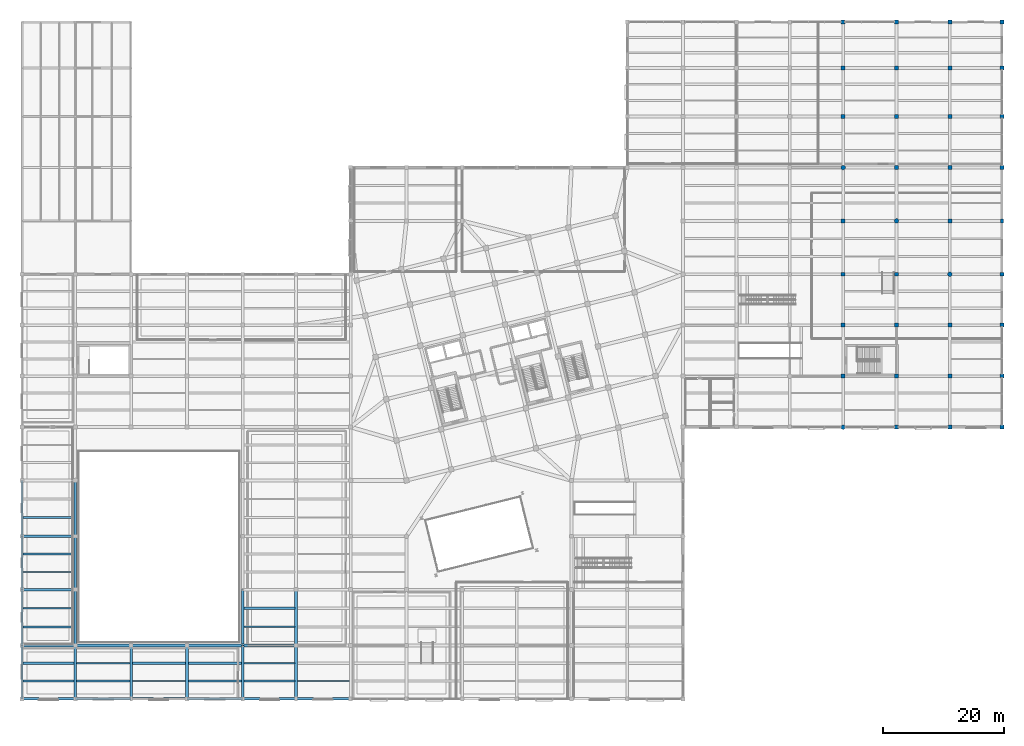
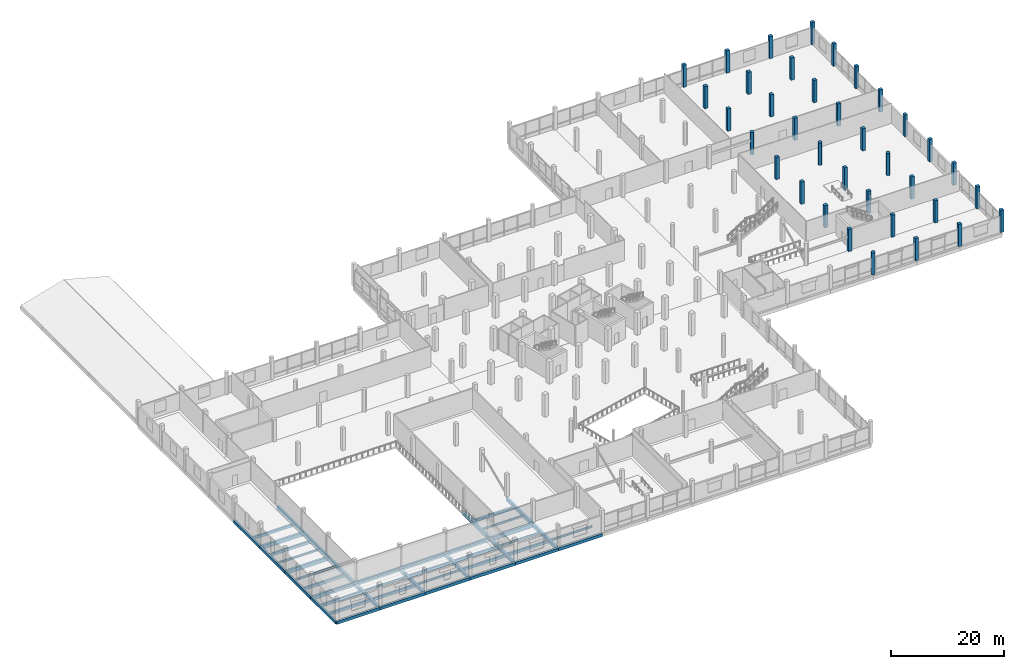
# One storey, part 9 of 71: 45 beams, 36 columns.
"""IFC4 building model written with IfcOpenShell, lengths in metres."""

from ifc_helpers import new_model, si_unit, direction, frame, origin, origin_2d, place, context, subcontext, project, spatial, rectangle, circle, i_section, extrude, material, material_profile, profile_set, type_object, element, save


model = new_model("IFC4")

# Units and contexts
model_context = context("Model", 3, precision=1e-05, world=origin(), true_north=direction((0.0, 1.0)))
body_context = subcontext(model_context, "Body", "Model", "MODEL_VIEW")
ifc_project = project(units=[si_unit("LENGTHUNIT", "METRE"), si_unit("AREAUNIT", "SQUARE_METRE"), si_unit("VOLUMEUNIT", "CUBIC_METRE"), si_unit("PLANEANGLEUNIT", "RADIAN"), si_unit("MASSUNIT", "GRAM", prefix="KILO")], contexts=[model_context])

# Site, building, storey
site_placement = place(None, origin())
site = spatial("IfcSite", under=ifc_project, at=site_placement, CompositionType="ELEMENT")
building_placement = place(site_placement, origin())
building = spatial("IfcBuilding", under=site, at=building_placement, Name="Meriwether Solvik Hall", CompositionType="ELEMENT")
storey_placement = place(building_placement, frame((0.0, 0.0, 5.10009765625)))
storey = spatial("IfcBuildingStorey", under=building, at=storey_placement, Name="L01", CompositionType="ELEMENT", Elevation=5.10009765625)

# Columns
ifc_material_1 = material(Name="Concrete C40/50", Category="concrete")
ifc_material_profile_1 = material_profile(ifc_material_1, rectangle(XDim=0.64990234375, YDim=0.64990234375, at=origin_2d()), Name="RCC-650X650")
ifc_profile_set_1 = profile_set([ifc_material_profile_1], Name="Concrete C40/50")
column_type_1 = type_object("IfcColumnType", Name="COL-RC-650", PredefinedType="COLUMN", material=ifc_profile_set_1)
for number, where, z_axis, x_axis, name in (
    (1, (140.60009765625, 58.39990234375, 0.0), (0.0, 0.0, 1.0), (1.0, 0.0, 0.0), "Podium Column 16/G (L01)"),
    (2, (140.60009765625, 66.800048828125, 0.0), (0.0, 0.0, 1.0), (1.0, 0.0, 0.0), "Podium Column 16/H (L01)"),
    (3, (140.60009765625, 75.199951171875, 0.0), (0.0, 0.0, 1.0), (1.0, 0.0, 0.0), "Podium Column 16/I (L01)"),
    (4, (140.60009765625, 84.0, 0.0), (0.0, 0.0, 1.0), (1.0, 0.0, 0.0), "Podium Column 16/J (L01)"),
    (5, (140.60009765625, 101.199951171875, 0.0), (0.0, 0.0, 1.0), (1.0, 0.0, 0.0), "Podium Column 16/L (L01)"),
    (6, (140.60009765625, 109.199951171875, 0.0), (0.0, 0.0, 1.0), (1.0, 0.0, 0.0), "Podium Column 16/M (L01)"),
    (7, (140.60009765625, 116.800048828125, 0.0), (0.0, 0.0, 1.0), (1.0, 0.0, 0.0), "Podium Column 16/N (L01)"),
    (8, (149.39990234375, 50.0, 0.0), (0.0, 0.0, 1.0), (1.0, 0.0, 0.0), "Podium Column 17/F (L01)"),
    (9, (149.39990234375, 58.39990234375, 0.0), (0.0, 0.0, 1.0), (1.0, 0.0, 0.0), "Podium Column 17/G (L01)"),
    (10, (149.39990234375, 66.800048828125, 0.0), (0.0, 0.0, 1.0), (1.0, 0.0, 0.0), "Podium Column 17/H (L01)"),
    (11, (149.39990234375, 75.199951171875, 0.0), (0.0, 0.0, 1.0), (1.0, 0.0, 0.0), "Podium Column 17/I (L01)"),
    (12, (149.39990234375, 92.800048828125, 0.0), (0.0, 0.0, 1.0), (1.0, 0.0, 0.0), "Podium Column 17/K (L01)"),
    (13, (149.39990234375, 101.199951171875, 0.0), (0.0, 0.0, 1.0), (1.0, 0.0, 0.0), "Podium Column 17/L (L01)"),
    (14, (149.39990234375, 109.199951171875, 0.0), (0.0, 0.0, 1.0), (1.0, 0.0, 0.0), "Podium Column 17/M (L01)"),
    (15, (149.39990234375, 116.800048828125, 0.0), (0.0, 0.0, 1.0), (1.0, 0.0, 0.0), "Podium Column 17/N (L01)"),
    (16, (158.199951171875, 50.0, 0.0), (0.0, 0.0, 1.0), (1.0, 0.0, 0.0), "Podium Column 18/F (L01)"),
    (17, (158.199951171875, 58.39990234375, 0.0), (0.0, 0.0, 1.0), (1.0, 0.0, 0.0), "Podium Column 18/G (L01)"),
    (18, (158.199951171875, 66.800048828125, 0.0), (0.0, 0.0, 1.0), (1.0, 0.0, 0.0), "Podium Column 18/H (L01)"),
    (19, (158.199951171875, 84.0, 0.0), (0.0, 0.0, 1.0), (1.0, 0.0, 0.0), "Podium Column 18/J (L01)"),
    (20, (158.199951171875, 92.800048828125, 0.0), (0.0, 0.0, 1.0), (1.0, 0.0, 0.0), "Podium Column 18/K (L01)"),
    (21, (158.199951171875, 101.199951171875, 0.0), (0.0, 0.0, 1.0), (1.0, 0.0, 0.0), "Podium Column 18/L (L01)"),
    (22, (158.199951171875, 109.199951171875, 0.0), (0.0, 0.0, 1.0), (1.0, 0.0, 0.0), "Podium Column 18/M (L01)"),
    (23, (158.199951171875, 116.800048828125, 0.0), (0.0, 0.0, 1.0), (1.0, 0.0, 0.0), "Podium Column 18/N (L01)"),
    (24, (166.800048828125, 50.0, 0.0), (0.0, 0.0, 1.0), (1.0, 0.0, 0.0), "Podium Column 19/F (L01)"),
    (25, (166.800048828125, 58.39990234375, 0.0), (0.0, 0.0, 1.0), (1.0, 0.0, 0.0), "Podium Column 19/G (L01)"),
    (26, (166.800048828125, 66.800048828125, 0.0), (0.0, 0.0, 1.0), (1.0, 0.0, 0.0), "Podium Column 19/H (L01)"),
    (27, (166.800048828125, 75.199951171875, 0.0), (0.0, 0.0, 1.0), (1.0, 0.0, 0.0), "Podium Column 19/I (L01)"),
    (28, (166.800048828125, 92.800048828125, 0.0), (0.0, 0.0, 1.0), (1.0, 0.0, 0.0), "Podium Column 19/K (L01)"),
    (29, (166.800048828125, 101.199951171875, 0.0), (0.0, 0.0, 1.0), (1.0, 0.0, 0.0), "Podium Column 19/L (L01)"),
    (30, (166.800048828125, 109.199951171875, 0.0), (0.0, 0.0, 1.0), (1.0, 0.0, 0.0), "Podium Column 19/M (L01)"),
    (31, (166.800048828125, 116.800048828125, 0.0), (0.0, 0.0, 1.0), (1.0, 0.0, 0.0), "Podium Column 19/N (L01)"),
):
    element("IfcColumn", number, at=place(storey_placement, frame(where, z_axis=z_axis, x_axis=x_axis)), inside=storey, type_object=column_type_1, Name=name, PredefinedType="COLUMN", context=body_context, shape_type="SweptSolid", body=[
        extrude(rectangle(XDim=0.64990234375, YDim=0.64990234375, at=origin_2d()), origin(), (0.0, 0.0, 1.0), 4.7998046875),
    ])
ifc_material_2 = material(Name="Concrete C40/50", Category="concrete")
ifc_material_profile_2 = material_profile(ifc_material_2, circle(Radius=0.375, at=origin_2d()), Name="RCC-D750")
ifc_profile_set_2 = profile_set([ifc_material_profile_2], Name="Concrete C40/50")
column_type_2 = type_object("IfcColumnType", Name="COL-RC-D750", PredefinedType="COLUMN", material=ifc_profile_set_2)
for number, where, z_axis, x_axis, name in (
    (32, (140.60009765625, 50.0, 0.0), (0.0, 0.0, 1.0), (1.0, 0.0, 0.0), "Podium Column 16/F (L01)"),
    (33, (140.60009765625, 92.800048828125, 0.0), (0.0, 0.0, 1.0), (1.0, 0.0, 0.0), "Podium Column 16/K (L01)"),
    (34, (149.39990234375, 84.0, 0.0), (0.0, 0.0, 1.0), (1.0, 0.0, 0.0), "Podium Column 17/J (L01)"),
    (35, (158.199951171875, 75.199951171875, 0.0), (0.0, 0.0, 1.0), (1.0, 0.0, 0.0), "Podium Column 18/I (L01)"),
):
    element("IfcColumn", number, at=place(storey_placement, frame(where, z_axis=z_axis, x_axis=x_axis)), inside=storey, type_object=column_type_2, Name=name, PredefinedType="COLUMN", context=body_context, shape_type="SweptSolid", body=[
        extrude(circle(Radius=0.375, at=origin_2d()), origin(), (0.0, 0.0, 1.0), 4.7998046875),
    ])
ifc_material_3 = material(Name="Concrete C40/50", Category="concrete")
ifc_material_profile_3 = material_profile(ifc_material_3, rectangle(XDim=0.449951171875, YDim=0.699951171875, at=origin_2d()), Name="RCP-450X700")
ifc_profile_set_3 = profile_set([ifc_material_profile_3], Name="Concrete C40/50")
column_type_3 = type_object("IfcColumnType", Name="PIL-RC-450X700", PredefinedType="PILASTER", material=ifc_profile_set_3)
column_placement = place(storey_placement, frame((166.800048828125, 84.0, 0.0), z_axis=(0.0, 0.0, 1.0), x_axis=(1.0, 0.0, 0.0)))
element("IfcColumn", 36, at=column_placement, inside=storey, type_object=column_type_3, Name="Podium Column 19/J (L01)", PredefinedType="PILASTER", context=body_context, shape_type="SweptSolid", body=[
    extrude(rectangle(XDim=0.449951171875, YDim=0.699951171875, at=origin_2d()), origin(), (0.0, 0.0, 1.0), 4.7998046875),
])

# Beams
ifc_material_4 = material(Name="Concrete C40/50", Category="concrete")
ifc_material_profile_4 = material_profile(ifc_material_4, rectangle(XDim=0.35009765625, YDim=0.60009765625, at=origin_2d()), Name="RCB-350X600")
ifc_profile_set_4 = profile_set([ifc_material_profile_4], Name="Concrete C40/50")
beam_type_1 = type_object("IfcBeamType", Name="BM-RC-350X600", PredefinedType="JOIST", material=ifc_profile_set_4)
for number, where, z_axis, x_axis, name in (
    (37, (5.39501953125, 8.13330078125, -0.60009765625), (1.0, 0.0, 0.0), (0.0, 1.0, 0.0), "Secondary Floor Joist 1/A_J1 (L01)"),
    (38, (5.39501953125, 11.066650390625, -0.60009765625), (1.0, 0.0, 0.0), (0.0, 1.0, 0.0), "Secondary Floor Joist 1/A_J2 (L01)"),
    (39, (5.39501953125, 17.066650390625, -0.60009765625), (1.0, 0.0, 0.0), (0.0, 1.0, 0.0), "Secondary Floor Joist 1/B_J1 (L01)"),
    (40, (5.39501953125, 29.066650390625, -0.60009765625), (1.0, 0.0, 0.0), (0.0, 1.0, 0.0), "Secondary Floor Joist 1/C_J2 (L01)"),
    (41, (5.39501953125, 35.066650390625, -0.60009765625), (1.0, 0.0, 0.0), (0.0, 1.0, 0.0), "Secondary Floor Joist 1/D_J1 (L01)"),
):
    element("IfcBeam", number, at=place(storey_placement, frame(where, z_axis=z_axis, x_axis=x_axis)), inside=storey, type_object=beam_type_1, Name=name, PredefinedType="JOIST", context=body_context, shape_type="SweptSolid", body=[
        extrude(rectangle(XDim=0.35009765625, YDim=0.60009765625, at=origin_2d()), origin(), (0.0, 0.0, 1.0), 8.385009765625),
    ])
for number, where, z_axis, x_axis, name in (
    (42, (14.219970703125, 8.13330078125, -0.60009765625), (1.0, 0.0, 0.0), (0.0, 1.0, 0.0), "Secondary Floor Joist 2/A_J1 (L01)"),
    (43, (23.419921875, 11.066650390625, -0.60009765625), (1.0, 0.0, 0.0), (0.0, 1.0, 0.0), "Secondary Floor Joist 3/A_J2 (L01)"),
):
    element("IfcBeam", number, at=place(storey_placement, frame(where, z_axis=z_axis, x_axis=x_axis)), inside=storey, type_object=beam_type_1, Name=name, PredefinedType="JOIST", context=body_context, shape_type="SweptSolid", body=[
        extrude(rectangle(XDim=0.35009765625, YDim=0.60009765625, at=origin_2d()), origin(), (0.0, 0.0, 1.0), 8.760009765625),
    ])
for number, where, z_axis, x_axis, name in (
    (44, (32.6201171875, 8.13330078125, -0.60009765625), (1.0, 0.0, 0.0), (0.0, 1.0, 0.0), "Secondary Floor Joist 4/A_J1 (L01)"),
    (45, (32.6201171875, 11.066650390625, -0.60009765625), (1.0, 0.0, 0.0), (0.0, 1.0, 0.0), "Secondary Floor Joist 4/A_J2 (L01)"),
):
    element("IfcBeam", number, at=place(storey_placement, frame(where, z_axis=z_axis, x_axis=x_axis)), inside=storey, type_object=beam_type_1, Name=name, PredefinedType="JOIST", context=body_context, shape_type="SweptSolid", body=[
        extrude(rectangle(XDim=0.35009765625, YDim=0.60009765625, at=origin_2d()), origin(), (0.0, 0.0, 1.0), 8.759765625),
    ])
for number, where, z_axis, x_axis, name in (
    (46, (41.820068359375, 8.13330078125, -0.60009765625), (1.0, 0.0, 0.0), (0.0, 1.0, 0.0), "Secondary Floor Joist 5/A_J1 (L01)"),
    (47, (41.820068359375, 20.13330078125, -0.60009765625), (1.0, 0.0, 0.0), (0.0, 1.0, 0.0), "Secondary Floor Joist 5/B_J2 (L01)"),
):
    element("IfcBeam", number, at=place(storey_placement, frame(where, z_axis=z_axis, x_axis=x_axis)), inside=storey, type_object=beam_type_1, Name=name, PredefinedType="JOIST", context=body_context, shape_type="SweptSolid", body=[
        extrude(rectangle(XDim=0.35009765625, YDim=0.60009765625, at=origin_2d()), origin(), (0.0, 0.0, 1.0), 8.35986328125),
    ])
ifc_material_5 = material(Name="Concrete C40/50", Category="concrete")
ifc_material_profile_5 = material_profile(ifc_material_5, rectangle(XDim=0.39990234375, YDim=0.64990234375, at=origin_2d()), Name="RCB-400X650")
ifc_profile_set_5 = profile_set([ifc_material_profile_5], Name="Concrete C40/50")
beam_type_2 = type_object("IfcBeamType", Name="BM-RC-400X650", PredefinedType="SPANDREL", material=ifc_profile_set_5)
beam_1_placement = place(storey_placement, frame((5.199951171875, 5.199951171875, -0.625), z_axis=(1.0, 0.0, 0.0), x_axis=(0.0, 1.0, 0.0)))
element("IfcBeam", 48, at=beam_1_placement, inside=storey, type_object=beam_type_2, Name="Podium Girder A:1-2 (L01)", PredefinedType="SPANDREL", context=body_context, shape_type="SweptSolid", body=[
    extrude(rectangle(XDim=0.39990234375, YDim=0.64990234375, at=origin_2d()), origin(), (0.0, 0.0, 1.0), 8.800048828125),
])
for number, where, z_axis, x_axis, name in (
    (49, (14.0, 5.199951171875, -0.625), (1.0, 0.0, 0.0), (0.0, 1.0, 0.0), "Podium Girder A:2-3 (L01)"),
    (50, (23.199951171875, 5.199951171875, -0.625), (1.0, 0.0, 0.0), (0.0, 1.0, 0.0), "Podium Girder A:3-4 (L01)"),
):
    element("IfcBeam", number, at=place(storey_placement, frame(where, z_axis=z_axis, x_axis=x_axis)), inside=storey, type_object=beam_type_2, Name=name, PredefinedType="SPANDREL", context=body_context, shape_type="SweptSolid", body=[
        extrude(rectangle(XDim=0.39990234375, YDim=0.64990234375, at=origin_2d()), origin(), (0.0, 0.0, 1.0), 9.199951171875),
    ])
beam_2_placement = place(storey_placement, frame((32.39990234375, 5.199951171875, -0.625), z_axis=(1.0, 0.0, 0.0), x_axis=(0.0, 1.0, 0.0)))
element("IfcBeam", 51, at=beam_2_placement, inside=storey, type_object=beam_type_2, Name="Podium Girder A:4-5 (L01)", PredefinedType="SPANDREL", context=body_context, shape_type="SweptSolid", body=[
    extrude(rectangle(XDim=0.39990234375, YDim=0.64990234375, at=origin_2d()), origin(), (0.0, 0.0, 1.0), 9.2001953125),
])
beam_3_placement = place(storey_placement, frame((41.60009765625, 5.199951171875, -0.625), z_axis=(1.0, 0.0, 0.0), x_axis=(0.0, 1.0, 0.0)))
element("IfcBeam", 52, at=beam_3_placement, inside=storey, type_object=beam_type_2, Name="Podium Girder A:5-6 (L01)", PredefinedType="SPANDREL", context=body_context, shape_type="SweptSolid", body=[
    extrude(rectangle(XDim=0.39990234375, YDim=0.64990234375, at=origin_2d()), origin(), (0.0, 0.0, 1.0), 8.7998046875),
])
beam_4_placement = place(storey_placement, frame((50.39990234375, 5.199951171875, -0.625), z_axis=(1.0, 0.0, 0.0), x_axis=(0.0, 1.0, 0.0)))
element("IfcBeam", 53, at=beam_4_placement, inside=storey, type_object=beam_type_2, Name="Podium Girder A:6-7 (L01)", PredefinedType="SPANDREL", context=body_context, shape_type="SweptSolid", body=[
    extrude(rectangle(XDim=0.39990234375, YDim=0.64990234375, at=origin_2d()), origin(), (0.0, 0.0, 1.0), 9.0),
])
beam_5_placement = place(storey_placement, frame((5.199951171875, 5.199951171875, -0.625), z_axis=(0.0, 1.0, 0.0), x_axis=(-1.0, 0.0, 0.0)))
element("IfcBeam", 54, at=beam_5_placement, inside=storey, type_object=beam_type_2, Name="Podium Girder 1:A-B (L01)", PredefinedType="SPANDREL", context=body_context, shape_type="SweptSolid", body=[
    extrude(rectangle(XDim=0.39990234375, YDim=0.64990234375, at=origin_2d()), origin(), (0.0, 0.0, 1.0), 8.800048828125),
])
beam_6_placement = place(storey_placement, frame((5.199951171875, 14.0, -0.625), z_axis=(0.0, 1.0, 0.0), x_axis=(-1.0, 0.0, 0.0)))
element("IfcBeam", 55, at=beam_6_placement, inside=storey, type_object=beam_type_2, Name="Podium Girder 1:B-C (L01)", PredefinedType="SPANDREL", context=body_context, shape_type="SweptSolid", body=[
    extrude(rectangle(XDim=0.39990234375, YDim=0.64990234375, at=origin_2d()), origin(), (0.0, 0.0, 1.0), 9.199951171875),
])
beam_7_placement = place(storey_placement, frame((5.199951171875, 23.199951171875, -0.625), z_axis=(0.0, 1.0, 0.0), x_axis=(-1.0, 0.0, 0.0)))
element("IfcBeam", 56, at=beam_7_placement, inside=storey, type_object=beam_type_2, Name="Podium Girder 1:C-D (L01)", PredefinedType="SPANDREL", context=body_context, shape_type="SweptSolid", body=[
    extrude(rectangle(XDim=0.39990234375, YDim=0.64990234375, at=origin_2d()), origin(), (0.0, 0.0, 1.0), 8.800048828125),
])
beam_8_placement = place(storey_placement, frame((5.199951171875, 32.0, -0.625), z_axis=(0.0, 1.0, 0.0), x_axis=(-1.0, 0.0, 0.0)))
element("IfcBeam", 57, at=beam_8_placement, inside=storey, type_object=beam_type_2, Name="Podium Girder 1:D-E (L01)", PredefinedType="SPANDREL", context=body_context, shape_type="SweptSolid", body=[
    extrude(rectangle(XDim=0.39990234375, YDim=0.64990234375, at=origin_2d()), origin(), (0.0, 0.0, 1.0), 9.199951171875),
])
ifc_material_6 = material(Name="Concrete C40/50", Category="concrete")
ifc_material_profile_6 = material_profile(ifc_material_6, rectangle(XDim=0.449951171875, YDim=0.699951171875, at=origin_2d()), Name="RCB-450X700")
ifc_profile_set_6 = profile_set([ifc_material_profile_6], Name="Concrete C40/50")
beam_type_3 = type_object("IfcBeamType", Name="BM-RC-450X700", PredefinedType="BEAM", material=ifc_profile_set_6)
beam_9_placement = place(storey_placement, frame((14.0, 5.199951171875, -0.650146484375), z_axis=(0.0, 1.0, 0.0), x_axis=(-1.0, 0.0, 0.0)))
element("IfcBeam", 58, at=beam_9_placement, inside=storey, type_object=beam_type_3, Name="Podium Girder 2:A-B (L01)", PredefinedType="BEAM", context=body_context, shape_type="SweptSolid", body=[
    extrude(rectangle(XDim=0.449951171875, YDim=0.699951171875, at=origin_2d()), origin(), (0.0, 0.0, 1.0), 8.800048828125),
])
beam_10_placement = place(storey_placement, frame((14.0, 14.0, -0.650146484375), z_axis=(0.0, 1.0, 0.0), x_axis=(-1.0, 0.0, 0.0)))
element("IfcBeam", 59, at=beam_10_placement, inside=storey, type_object=beam_type_3, Name="Podium Girder 2:B-C (L01)", PredefinedType="BEAM", context=body_context, shape_type="SweptSolid", body=[
    extrude(rectangle(XDim=0.449951171875, YDim=0.699951171875, at=origin_2d()), origin(), (0.0, 0.0, 1.0), 9.199951171875),
])
beam_11_placement = place(storey_placement, frame((14.0, 23.199951171875, -0.650146484375), z_axis=(0.0, 1.0, 0.0), x_axis=(-1.0, 0.0, 0.0)))
element("IfcBeam", 60, at=beam_11_placement, inside=storey, type_object=beam_type_3, Name="Podium Girder 2:C-D (L01)", PredefinedType="BEAM", context=body_context, shape_type="SweptSolid", body=[
    extrude(rectangle(XDim=0.449951171875, YDim=0.699951171875, at=origin_2d()), origin(), (0.0, 0.0, 1.0), 8.800048828125),
])
beam_12_placement = place(storey_placement, frame((14.0, 32.0, -0.650146484375), z_axis=(0.0, 1.0, 0.0), x_axis=(-1.0, 0.0, 0.0)))
element("IfcBeam", 61, at=beam_12_placement, inside=storey, type_object=beam_type_3, Name="Podium Girder 2:D-E (L01)", PredefinedType="BEAM", context=body_context, shape_type="SweptSolid", body=[
    extrude(rectangle(XDim=0.449951171875, YDim=0.699951171875, at=origin_2d()), origin(), (0.0, 0.0, 1.0), 9.199951171875),
])
for number, where, z_axis, x_axis, name in (
    (62, (23.199951171875, 5.199951171875, -0.650146484375), (0.0, 1.0, 0.0), (-1.0, 0.0, 0.0), "Podium Girder 3:A-B (L01)"),
    (63, (32.39990234375, 5.199951171875, -0.650146484375), (0.0, 1.0, 0.0), (-1.0, 0.0, 0.0), "Podium Girder 4:A-B (L01)"),
    (64, (41.60009765625, 5.199951171875, -0.650146484375), (0.0, 1.0, 0.0), (-1.0, 0.0, 0.0), "Podium Girder 5:A-B (L01)"),
):
    element("IfcBeam", number, at=place(storey_placement, frame(where, z_axis=z_axis, x_axis=x_axis)), inside=storey, type_object=beam_type_3, Name=name, PredefinedType="BEAM", context=body_context, shape_type="SweptSolid", body=[
        extrude(rectangle(XDim=0.449951171875, YDim=0.699951171875, at=origin_2d()), origin(), (0.0, 0.0, 1.0), 8.800048828125),
    ])
beam_13_placement = place(storey_placement, frame((41.60009765625, 14.0, -0.650146484375), z_axis=(0.0, 1.0, 0.0), x_axis=(-1.0, 0.0, 0.0)))
element("IfcBeam", 65, at=beam_13_placement, inside=storey, type_object=beam_type_3, Name="Podium Girder 5:B-C (L01)", PredefinedType="BEAM", context=body_context, shape_type="SweptSolid", body=[
    extrude(rectangle(XDim=0.449951171875, YDim=0.699951171875, at=origin_2d()), origin(), (0.0, 0.0, 1.0), 9.199951171875),
])
beam_14_placement = place(storey_placement, frame((50.39990234375, 5.199951171875, -0.650146484375), z_axis=(0.0, 1.0, 0.0), x_axis=(-1.0, 0.0, 0.0)))
element("IfcBeam", 66, at=beam_14_placement, inside=storey, type_object=beam_type_3, Name="Podium Girder 6:A-B (L01)", PredefinedType="BEAM", context=body_context, shape_type="SweptSolid", body=[
    extrude(rectangle(XDim=0.449951171875, YDim=0.699951171875, at=origin_2d()), origin(), (0.0, 0.0, 1.0), 8.800048828125),
])
beam_15_placement = place(storey_placement, frame((50.39990234375, 14.0, -0.650146484375), z_axis=(0.0, 1.0, 0.0), x_axis=(-1.0, 0.0, 0.0)))
element("IfcBeam", 67, at=beam_15_placement, inside=storey, type_object=beam_type_3, Name="Podium Girder 6:B-C (L01)", PredefinedType="BEAM", context=body_context, shape_type="SweptSolid", body=[
    extrude(rectangle(XDim=0.449951171875, YDim=0.699951171875, at=origin_2d()), origin(), (0.0, 0.0, 1.0), 9.199951171875),
])
ifc_material_7 = material(Name="Concrete C40/50", Category="concrete")
ifc_material_profile_7 = material_profile(ifc_material_7, rectangle(XDim=0.449951171875, YDim=0.800048828125, at=origin_2d()), Name="RCB-450X800")
ifc_profile_set_7 = profile_set([ifc_material_profile_7], Name="Concrete C40/50")
beam_type_4 = type_object("IfcBeamType", Name="BM-RC-450X800", PredefinedType="BEAM", material=ifc_profile_set_7)
beam_16_placement = place(storey_placement, frame((5.199951171875, 14.0, -0.7001953125), z_axis=(1.0, 0.0, 0.0), x_axis=(0.0, 1.0, 0.0)))
element("IfcBeam", 68, at=beam_16_placement, inside=storey, type_object=beam_type_4, Name="Podium Girder B:1-2 (L01)", PredefinedType="BEAM", context=body_context, shape_type="SweptSolid", body=[
    extrude(rectangle(XDim=0.449951171875, YDim=0.800048828125, at=origin_2d()), origin(), (0.0, 0.0, 1.0), 8.800048828125),
])
for number, where, z_axis, x_axis, name in (
    (69, (14.0, 14.0, -0.7001953125), (1.0, 0.0, 0.0), (0.0, 1.0, 0.0), "Podium Girder B:2-3 (L01)"),
    (70, (23.199951171875, 14.0, -0.7001953125), (1.0, 0.0, 0.0), (0.0, 1.0, 0.0), "Podium Girder B:3-4 (L01)"),
):
    element("IfcBeam", number, at=place(storey_placement, frame(where, z_axis=z_axis, x_axis=x_axis)), inside=storey, type_object=beam_type_4, Name=name, PredefinedType="BEAM", context=body_context, shape_type="SweptSolid", body=[
        extrude(rectangle(XDim=0.449951171875, YDim=0.800048828125, at=origin_2d()), origin(), (0.0, 0.0, 1.0), 9.199951171875),
    ])
beam_17_placement = place(storey_placement, frame((32.39990234375, 14.0, -0.7001953125), z_axis=(1.0, 0.0, 0.0), x_axis=(0.0, 1.0, 0.0)))
element("IfcBeam", 71, at=beam_17_placement, inside=storey, type_object=beam_type_4, Name="Podium Girder B:4-5 (L01)", PredefinedType="BEAM", context=body_context, shape_type="SweptSolid", body=[
    extrude(rectangle(XDim=0.449951171875, YDim=0.800048828125, at=origin_2d()), origin(), (0.0, 0.0, 1.0), 9.2001953125),
])
beam_18_placement = place(storey_placement, frame((41.60009765625, 14.0, -0.7001953125), z_axis=(1.0, 0.0, 0.0), x_axis=(0.0, 1.0, 0.0)))
element("IfcBeam", 72, at=beam_18_placement, inside=storey, type_object=beam_type_4, Name="Podium Girder B:5-6 (L01)", PredefinedType="BEAM", context=body_context, shape_type="SweptSolid", body=[
    extrude(rectangle(XDim=0.449951171875, YDim=0.800048828125, at=origin_2d()), origin(), (0.0, 0.0, 1.0), 8.7998046875),
])
for number, where, z_axis, x_axis, name in (
    (73, (5.199951171875, 23.199951171875, -0.7001953125), (1.0, 0.0, 0.0), (0.0, 1.0, 0.0), "Podium Girder C:1-2 (L01)"),
    (74, (5.199951171875, 32.0, -0.7001953125), (1.0, 0.0, 0.0), (0.0, 1.0, 0.0), "Podium Girder D:1-2 (L01)"),
):
    element("IfcBeam", number, at=place(storey_placement, frame(where, z_axis=z_axis, x_axis=x_axis)), inside=storey, type_object=beam_type_4, Name=name, PredefinedType="BEAM", context=body_context, shape_type="SweptSolid", body=[
        extrude(rectangle(XDim=0.449951171875, YDim=0.800048828125, at=origin_2d()), origin(), (0.0, 0.0, 1.0), 8.800048828125),
    ])
ifc_material_8 = material(Name="Steel A992 Grade 50", Category="steel")
ifc_material_profile_8 = material_profile(ifc_material_8, i_section(OverallWidth=0.19091796875, OverallDepth=0.45703125, WebThickness=0.009033203125, FlangeThickness=0.014404296875, at=origin_2d()), Name="W18X50")
ifc_profile_set_8 = profile_set([ifc_material_profile_8], Name="Steel A992 Grade 50")
beam_type_5 = type_object("IfcBeamType", Name="BM-STL-W18X50", PredefinedType="JOIST", material=ifc_profile_set_8)
for number, where, z_axis, x_axis, name in (
    (75, (5.39501953125, 20.13330078125, -0.528564453125), (1.0, 0.0, 0.0), (0.0, 1.0, 0.0), "Secondary Floor Joist 1/B_J2 (L01)"),
    (76, (5.39501953125, 26.13330078125, -0.528564453125), (1.0, 0.0, 0.0), (0.0, 1.0, 0.0), "Secondary Floor Joist 1/C_J1 (L01)"),
):
    element("IfcBeam", number, at=place(storey_placement, frame(where, z_axis=z_axis, x_axis=x_axis)), inside=storey, type_object=beam_type_5, Name=name, PredefinedType="JOIST", context=body_context, shape_type="SweptSolid", body=[
        extrude(i_section(OverallWidth=0.19091796875, OverallDepth=0.45703125, WebThickness=0.009033203125, FlangeThickness=0.014404296875, at=origin_2d()), origin(), (0.0, 0.0, 1.0), 8.385009765625),
    ])
for number, where, z_axis, x_axis, name in (
    (77, (14.219970703125, 11.066650390625, -0.528564453125), (1.0, 0.0, 0.0), (0.0, 1.0, 0.0), "Secondary Floor Joist 2/A_J2 (L01)"),
    (78, (23.419921875, 8.13330078125, -0.528564453125), (1.0, 0.0, 0.0), (0.0, 1.0, 0.0), "Secondary Floor Joist 3/A_J1 (L01)"),
):
    element("IfcBeam", number, at=place(storey_placement, frame(where, z_axis=z_axis, x_axis=x_axis)), inside=storey, type_object=beam_type_5, Name=name, PredefinedType="JOIST", context=body_context, shape_type="SweptSolid", body=[
        extrude(i_section(OverallWidth=0.19091796875, OverallDepth=0.45703125, WebThickness=0.009033203125, FlangeThickness=0.014404296875, at=origin_2d()), origin(), (0.0, 0.0, 1.0), 8.760009765625),
    ])
for number, where, z_axis, x_axis, name in (
    (79, (41.820068359375, 11.066650390625, -0.528564453125), (1.0, 0.0, 0.0), (0.0, 1.0, 0.0), "Secondary Floor Joist 5/A_J2 (L01)"),
    (80, (41.820068359375, 17.066650390625, -0.528564453125), (1.0, 0.0, 0.0), (0.0, 1.0, 0.0), "Secondary Floor Joist 5/B_J1 (L01)"),
):
    element("IfcBeam", number, at=place(storey_placement, frame(where, z_axis=z_axis, x_axis=x_axis)), inside=storey, type_object=beam_type_5, Name=name, PredefinedType="JOIST", context=body_context, shape_type="SweptSolid", body=[
        extrude(i_section(OverallWidth=0.19091796875, OverallDepth=0.45703125, WebThickness=0.009033203125, FlangeThickness=0.014404296875, at=origin_2d()), origin(), (0.0, 0.0, 1.0), 8.35986328125),
    ])
beam_19_placement = place(storey_placement, frame((50.6201171875, 8.13330078125, -0.528564453125), z_axis=(1.0, 0.0, 0.0), x_axis=(0.0, 1.0, 0.0)))
element("IfcBeam", 81, at=beam_19_placement, inside=storey, type_object=beam_type_5, Name="Secondary Floor Joist 6/A_J1 (L01)", PredefinedType="JOIST", context=body_context, shape_type="SweptSolid", body=[
    extrude(i_section(OverallWidth=0.19091796875, OverallDepth=0.45703125, WebThickness=0.009033203125, FlangeThickness=0.014404296875, at=origin_2d()), origin(), (0.0, 0.0, 1.0), 8.559814453125),
])

save(model, "model.ifc")
